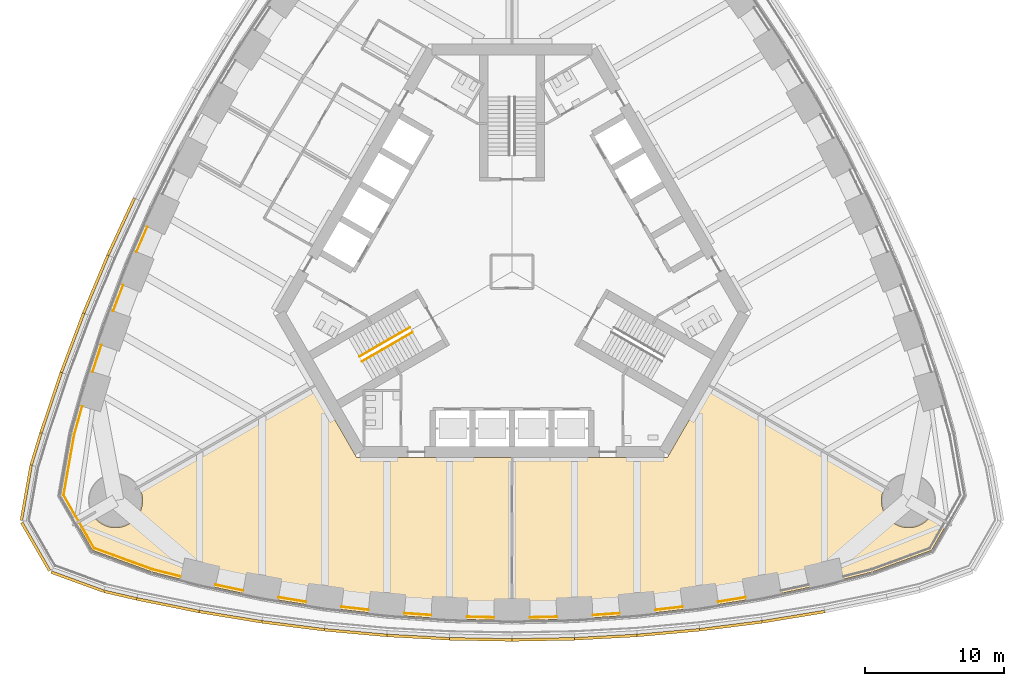
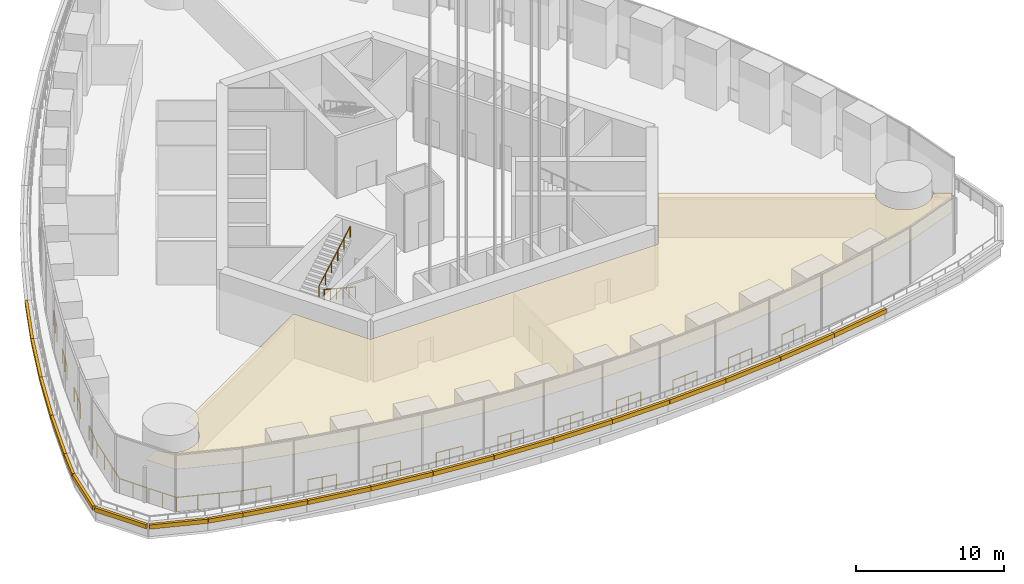
# One storey, part 17 of 31: 21 coverings, 16 railings.
"""IFC4 building model written with IfcOpenShell, lengths in metres."""

from ifc_helpers import new_model, si_unit, direction, frame, origin, origin_2d, place, context, subcontext, project, spatial, polyline, rectangle, circle, outline, extrude, material, layer, layer_set, type_object, element, save


model = new_model("IFC4")

# Units and contexts
model_context = context("Model", 3, precision=1e-05, world=origin(), true_north=direction((0.0, 1.0)))
body_context = subcontext(model_context, "Body", "Model", "MODEL_VIEW")
ifc_project = project(units=[si_unit("LENGTHUNIT", "METRE"), si_unit("AREAUNIT", "SQUARE_METRE"), si_unit("VOLUMEUNIT", "CUBIC_METRE"), si_unit("PLANEANGLEUNIT", "RADIAN"), si_unit("MASSUNIT", "GRAM", prefix="KILO")], contexts=[model_context])

# Site, building, storey
site_placement = place(None, origin())
site = spatial("IfcSite", under=ifc_project, at=site_placement, CompositionType="ELEMENT")
building_placement = place(site_placement, origin())
building = spatial("IfcBuilding", under=site, at=building_placement, Name="Trefoil Bronze Tower", CompositionType="ELEMENT")
storey_placement = place(building_placement, frame((0.0, 0.0, 184.699951171875)))
storey = spatial("IfcBuildingStorey", under=building, at=storey_placement, Name="L42", CompositionType="ELEMENT", Elevation=184.699951171875)

# Covering
ifc_material_1 = material(Name="Bronze metal ceiling panels", Category="metal")
ifc_layer = layer(ifc_material_1, 0.02001953125)
ifc_layer_set = layer_set([ifc_layer], Name="Feature ceiling 20")
covering_type_1 = type_object("IfcCoveringType", Name="Feature ceiling 20", PredefinedType="CEILING", material=ifc_layer_set)
covering_1_placement = place(storey_placement, frame((0.0, 0.0, 3.60009765625)))
element("IfcCovering", 1, at=covering_1_placement, inside=storey, type_object=covering_type_1, Name="Ceiling L42 Sky lobby F1", PredefinedType="CEILING", context=body_context, shape_type="SweptSolid", body=[
    extrude(outline(polyline([(-30.2001953125, -17.58349609375), (-30.14501953125, -17.66162109375), (-30.086181640625, -17.737060546875), (-30.023681640625, -17.8095703125), (-29.957763671875, -17.87890625), (-29.888427734375, -17.94482421875), (-29.81591796875, -18.00732421875), (-29.740478515625, -18.06640625), (-29.662109375, -18.121337890625), (-29.581298828125, -18.172607421875), (-29.498046875, -18.2197265625), (-29.41259765625, -18.2626953125), (-29.3251953125, -18.301513671875), (-29.23583984375, -18.3359375), (-29.14501953125, -18.365966796875), (-29.052490234375, -18.3916015625), (-28.959228515625, -18.41259765625), (-28.864990234375, -18.428955078125), (-28.77001953125, -18.440673828125), (-28.674560546875, -18.44775390625), (-28.578857421875, -18.449951171875), (-28.483154296875, -18.44775390625), (-28.3876953125, -18.440673828125), (-28.292724609375, -18.428955078125), (-28.198486328125, -18.41259765625), (-28.10498046875, -18.3916015625), (-28.0126953125, -18.365966796875), (-27.921875, -18.3359375), (-27.83251953125, -18.301513671875), (-27.7451171875, -18.2626953125), (-27.65966796875, -18.2197265625), (-27.576416015625, -18.172607421875), (-27.49560546875, -18.121337890625), (-27.417236328125, -18.06640625), (-27.341796875, -18.00732421875), (-27.269287109375, -17.94482421875), (-27.199951171875, -17.87890625), (-27.134033203125, -17.8095703125), (-27.071533203125, -17.737060546875), (-27.0126953125, -17.66162109375), (-26.95751953125, -17.58349609375), (-26.90625, -17.50244140625), (-26.859130859375, -17.419189453125), (-26.816162109375, -17.333740234375), (-26.77734375, -17.24609375), (-26.742919921875, -17.156982421875), (-26.712890625, -17.066162109375), (-26.687255859375, -16.973876953125), (-26.666259765625, -16.88037109375), (-26.64990234375, -16.7861328125), (-26.63818359375, -16.691162109375), (-26.631103515625, -16.595703125), (-26.62890625, -16.5), (-26.631103515625, -16.404296875), (-26.63818359375, -16.308837890625), (-26.64990234375, -16.2138671875), (-26.666259765625, -16.11962890625), (-26.687255859375, -16.026123046875), (-26.712890625, -15.933837890625), (-26.742919921875, -15.843017578125), (-26.77734375, -15.75390625), (-26.816162109375, -15.666259765625), (-26.859130859375, -15.580810546875), (-26.884765625, -15.535400390625), (-14.19970703125, -8.205322265625), (-11.20068359375, -13.39990234375), (11.20068359375, -13.39990234375), (14.19970703125, -8.205322265625), (26.884765625, -15.535400390625), (26.859130859375, -15.580810546875), (26.816162109375, -15.666259765625), (26.77734375, -15.75390625), (26.742919921875, -15.843017578125), (26.712890625, -15.933837890625), (26.687255859375, -16.026123046875), (26.666259765625, -16.11962890625), (26.64990234375, -16.2138671875), (26.63818359375, -16.308837890625), (26.631103515625, -16.404296875), (26.62890625, -16.5), (26.631103515625, -16.595703125), (26.63818359375, -16.691162109375), (26.64990234375, -16.7861328125), (26.666259765625, -16.88037109375), (26.687255859375, -16.973876953125), (26.712890625, -17.066162109375), (26.742919921875, -17.156982421875), (26.77734375, -17.24609375), (26.816162109375, -17.333740234375), (26.859130859375, -17.419189453125), (26.90625, -17.50244140625), (26.95751953125, -17.58349609375), (27.0126953125, -17.66162109375), (27.071533203125, -17.737060546875), (27.134033203125, -17.8095703125), (27.199951171875, -17.87890625), (27.269287109375, -17.94482421875), (27.341796875, -18.00732421875), (27.417236328125, -18.06640625), (27.49560546875, -18.121337890625), (27.576416015625, -18.172607421875), (27.65966796875, -18.2197265625), (27.7451171875, -18.2626953125), (27.83251953125, -18.301513671875), (27.921875, -18.3359375), (28.0126953125, -18.365966796875), (28.10498046875, -18.3916015625), (28.198486328125, -18.41259765625), (28.292724609375, -18.428955078125), (28.3876953125, -18.440673828125), (28.483154296875, -18.44775390625), (28.578857421875, -18.449951171875), (28.674560546875, -18.44775390625), (28.77001953125, -18.440673828125), (28.864990234375, -18.428955078125), (28.959228515625, -18.41259765625), (29.052490234375, -18.3916015625), (29.14501953125, -18.365966796875), (29.23583984375, -18.3359375), (29.3251953125, -18.301513671875), (29.41259765625, -18.2626953125), (29.498046875, -18.2197265625), (29.581298828125, -18.172607421875), (29.662109375, -18.121337890625), (29.740478515625, -18.06640625), (29.81591796875, -18.00732421875), (29.888427734375, -17.94482421875), (29.957763671875, -17.87890625), (30.023681640625, -17.8095703125), (30.086181640625, -17.737060546875), (30.14501953125, -17.66162109375), (30.2001953125, -17.58349609375), (30.2607421875, -17.486083984375), (31.37158203125, -18.1279296875), (30.23828125, -20.0908203125), (25.952880859375, -21.650634765625), (22.5, -22.531982421875), (18.0, -23.48291015625), (13.5, -24.216064453125), (9.0, -24.736328125), (4.5, -25.047119140625), (0.0, -25.150634765625), (-4.5, -25.047119140625), (-9.0, -24.736328125), (-13.5, -24.216064453125), (-18.0, -23.48291015625), (-22.5, -22.531982421875), (-25.952880859375, -21.650634765625), (-30.23828125, -20.0908203125), (-31.37158203125, -18.1279296875), (-30.2607421875, -17.486083984375), (-30.2001953125, -17.58349609375)])), origin(), (0.0, 0.0, 1.0), 0.02001953125),
])

# Railings
ifc_material_2 = material(Name="Bronze-finish steel guard rail and posts", Category="steel")
railing_type_1 = type_object("IfcRailingType", Name="Glazing guard 1200", PredefinedType="GUARDRAIL", material=ifc_material_2)
railing_1_placement = place(storey_placement, frame((-28.038818359375, -0.977783203125, 0.0)))
element("IfcRailing", 2, at=railing_1_placement, inside=storey, type_object=railing_type_1, Name="Glazing guard L42.1", PredefinedType="GUARDRAIL", context=body_context, shape_type="SweptSolid", body=[
    extrude(circle(Radius=0.02392578125, at=origin_2d()), frame((0.0, 0.0, 1.17578125), z_axis=(-0.354257987109, -0.93514773088, 0.0), x_axis=(0.93514773088, -0.354257987109, 0.0)), (0.0, 0.0, 1.0), 1.987548828125),
    extrude(circle(Radius=0.02099609375, at=origin_2d()), origin(), (0.0, 0.0, 1.0), 1.15185546875),
    extrude(circle(Radius=0.02099609375, at=origin_2d()), frame((-0.35205078125, -0.92919921875, 0.0)), (0.0, 0.0, 1.0), 1.15185546875),
    extrude(circle(Radius=0.02099609375, at=origin_2d()), frame((-0.7041015625, -1.858642578125, 0.0)), (0.0, 0.0, 1.0), 1.15185546875),
])
railing_2_placement = place(storey_placement, frame((-29.601806640625, -5.29052734375, 0.0)))
element("IfcRailing", 3, at=railing_2_placement, inside=storey, type_object=railing_type_1, Name="Glazing guard L42.2", PredefinedType="GUARDRAIL", context=body_context, shape_type="SweptSolid", body=[
    extrude(circle(Radius=0.02392578125, at=origin_2d()), frame((0.0, 0.0, 1.17578125), z_axis=(-0.310150768073, -0.950687383457, 0.0), x_axis=(0.950687383457, -0.310150768073, 0.0)), (0.0, 0.0, 1.0), 2.02685546875),
    extrude(circle(Radius=0.02099609375, at=origin_2d()), origin(), (0.0, 0.0, 1.0), 1.15185546875),
    extrude(circle(Radius=0.02099609375, at=origin_2d()), frame((-0.314453125, -0.96337890625, 0.0)), (0.0, 0.0, 1.0), 1.15185546875),
    extrude(circle(Radius=0.02099609375, at=origin_2d()), frame((-0.628662109375, -1.927001953125, 0.0)), (0.0, 0.0, 1.0), 1.15185546875),
])
railing_3_placement = place(storey_placement, frame((-30.979736328125, -9.707275390625, 0.0)))
element("IfcRailing", 4, at=railing_3_placement, inside=storey, type_object=railing_type_1, Name="Glazing guard L42.3", PredefinedType="GUARDRAIL", context=body_context, shape_type="SweptSolid", body=[
    extrude(circle(Radius=0.02392578125, at=origin_2d()), frame((0.0, 0.0, 1.17578125), z_axis=(-0.2702058815, -0.962802566263, 0.0), x_axis=(0.962802566263, -0.2702058815, 0.0)), (0.0, 0.0, 1.0), 2.122314453125),
    extrude(circle(Radius=0.02392578125, at=origin_2d()), frame((-0.573486328125, -2.04345703125, 1.17578125), z_axis=(-0.173690876104, -0.984800223171, 0.0), x_axis=(0.984800223171, -0.173690876104, 0.0)), (0.0, 0.0, 1.0), 4.42333984375),
    extrude(circle(Radius=0.02392578125, at=origin_2d()), frame((-1.341796875, -6.399658203125, 1.17578125), z_axis=(0.500022479402, -0.866012424906, 0.0), x_axis=(0.866012424906, 0.500022479402, 0.0)), (0.0, 0.0, 1.0), 2.13671875),
    extrude(circle(Radius=0.02099609375, at=origin_2d()), origin(), (0.0, 0.0, 1.0), 1.15185546875),
    extrude(circle(Radius=0.02099609375, at=origin_2d()), frame((-0.28662109375, -1.021728515625, 0.0)), (0.0, 0.0, 1.0), 1.15185546875),
    extrude(circle(Radius=0.02099609375, at=origin_2d()), frame((-0.573486328125, -2.04345703125, 0.0)), (0.0, 0.0, 1.0), 1.15185546875),
    extrude(circle(Radius=0.02099609375, at=origin_2d()), frame((-0.82958984375, -3.49560546875, 0.0)), (0.0, 0.0, 1.0), 1.15185546875),
    extrude(circle(Radius=0.02099609375, at=origin_2d()), frame((-1.085693359375, -4.947509765625, 0.0)), (0.0, 0.0, 1.0), 1.15185546875),
    extrude(circle(Radius=0.02099609375, at=origin_2d()), frame((-1.341796875, -6.399658203125, 0.0)), (0.0, 0.0, 1.0), 1.15185546875),
    extrude(circle(Radius=0.02099609375, at=origin_2d()), frame((-0.8076171875, -7.32470703125, 0.0)), (0.0, 0.0, 1.0), 1.15185546875),
    extrude(circle(Radius=0.02099609375, at=origin_2d()), frame((-0.2734375, -8.25, 0.0)), (0.0, 0.0, 1.0), 1.15185546875),
])
railing_4_placement = place(storey_placement, frame((-31.177978515625, -18.087158203125, 0.0)))
element("IfcRailing", 5, at=railing_4_placement, inside=storey, type_object=railing_type_1, Name="Glazing guard L42.4", PredefinedType="GUARDRAIL", context=body_context, shape_type="SweptSolid", body=[
    extrude(circle(Radius=0.02392578125, at=origin_2d()), frame((0.0, 0.0, 1.17578125), z_axis=(0.499973003918, -0.866040989419, 0.0), x_axis=(0.866040989419, 0.499973003918, 0.0)), (0.0, 0.0, 1.0), 2.13671875),
    extrude(circle(Radius=0.02392578125, at=origin_2d()), frame((1.068359375, -1.8505859375, 1.17578125), z_axis=(0.93969186174, -0.34202222878, 0.0), x_axis=(0.34202222878, 0.93969186174, 0.0)), (0.0, 0.0, 1.0), 4.423583984375),
    extrude(circle(Radius=0.02392578125, at=origin_2d()), frame((5.22509765625, -3.363525390625, 1.17578125), z_axis=(0.968925924242, -0.247351073037, 0.0), x_axis=(0.247351073037, 0.968925924242, 0.0)), (0.0, 0.0, 1.0), 2.1220703125),
    extrude(circle(Radius=0.02099609375, at=origin_2d()), origin(), (0.0, 0.0, 1.0), 1.15185546875),
    extrude(circle(Radius=0.02099609375, at=origin_2d()), frame((0.5341796875, -0.92529296875, 0.0)), (0.0, 0.0, 1.0), 1.15185546875),
    extrude(circle(Radius=0.02099609375, at=origin_2d()), frame((1.068359375, -1.8505859375, 0.0)), (0.0, 0.0, 1.0), 1.15185546875),
    extrude(circle(Radius=0.02099609375, at=origin_2d()), frame((2.453857421875, -2.35498046875, 0.0)), (0.0, 0.0, 1.0), 1.15185546875),
    extrude(circle(Radius=0.02099609375, at=origin_2d()), frame((3.839599609375, -2.859130859375, 0.0)), (0.0, 0.0, 1.0), 1.15185546875),
    extrude(circle(Radius=0.02099609375, at=origin_2d()), frame((5.22509765625, -3.363525390625, 0.0)), (0.0, 0.0, 1.0), 1.15185546875),
    extrude(circle(Radius=0.02099609375, at=origin_2d()), frame((6.253173828125, -3.6259765625, 0.0)), (0.0, 0.0, 1.0), 1.15185546875),
    extrude(circle(Radius=0.02099609375, at=origin_2d()), frame((7.28125, -3.888427734375, 0.0)), (0.0, 0.0, 1.0), 1.15185546875),
])
railing_5_placement = place(storey_placement, frame((-21.365966796875, -22.571533203125, 0.0)))
element("IfcRailing", 6, at=railing_5_placement, inside=storey, type_object=railing_type_1, Name="Glazing guard L42.5", PredefinedType="GUARDRAIL", context=body_context, shape_type="SweptSolid", body=[
    extrude(circle(Radius=0.02392578125, at=origin_2d()), frame((0.0, 0.0, 1.17578125), z_axis=(0.978382051668, -0.206805611562, 0.0), x_axis=(0.206805611562, 0.978382051668, 0.0)), (0.0, 0.0, 1.0), 2.02685546875),
    extrude(circle(Radius=0.02099609375, at=origin_2d()), origin(), (0.0, 0.0, 1.0), 1.15185546875),
    extrude(circle(Radius=0.02099609375, at=origin_2d()), frame((0.99169921875, -0.20947265625, 0.0)), (0.0, 0.0, 1.0), 1.15185546875),
    extrude(circle(Radius=0.02099609375, at=origin_2d()), frame((1.983154296875, -0.419189453125, 0.0)), (0.0, 0.0, 1.0), 1.15185546875),
])
railing_6_placement = place(storey_placement, frame((-16.827880859375, -23.473876953125, 0.0)))
element("IfcRailing", 7, at=railing_6_placement, inside=storey, type_object=railing_type_1, Name="Glazing guard L42.6", PredefinedType="GUARDRAIL", context=body_context, shape_type="SweptSolid", body=[
    extrude(circle(Radius=0.02392578125, at=origin_2d()), frame((0.0, 0.0, 1.17578125), z_axis=(0.986988235708, -0.160792482955, 0.0), x_axis=(0.160792482955, 0.986988235708, 0.0)), (0.0, 0.0, 1.0), 1.987548828125),
    extrude(circle(Radius=0.02099609375, at=origin_2d()), origin(), (0.0, 0.0, 1.0), 1.15185546875),
    extrude(circle(Radius=0.02099609375, at=origin_2d()), frame((0.98095703125, -0.15966796875, 0.0)), (0.0, 0.0, 1.0), 1.15185546875),
    extrude(circle(Radius=0.02099609375, at=origin_2d()), frame((1.961669921875, -0.319580078125, 0.0)), (0.0, 0.0, 1.0), 1.15185546875),
])
railing_7_placement = place(storey_placement, frame((-12.29150390625, -24.15576171875, 0.0)))
element("IfcRailing", 8, at=railing_7_placement, inside=storey, type_object=railing_type_1, Name="Glazing guard L42.7", PredefinedType="GUARDRAIL", context=body_context, shape_type="SweptSolid", body=[
    extrude(circle(Radius=0.02392578125, at=origin_2d()), frame((0.0, 0.0, 1.17578125), z_axis=(0.993381049752, -0.114865530047, 0.0), x_axis=(0.114865530047, 0.993381049752, 0.0)), (0.0, 0.0, 1.0), 1.95751953125),
    extrude(circle(Radius=0.02099609375, at=origin_2d()), origin(), (0.0, 0.0, 1.0), 1.15185546875),
    extrude(circle(Radius=0.02099609375, at=origin_2d()), frame((0.97216796875, -0.1123046875, 0.0)), (0.0, 0.0, 1.0), 1.15185546875),
    extrude(circle(Radius=0.02099609375, at=origin_2d()), frame((1.944580078125, -0.224853515625, 0.0)), (0.0, 0.0, 1.0), 1.15185546875),
])
railing_8_placement = place(storey_placement, frame((-7.758056640625, -24.6220703125, 0.0)))
element("IfcRailing", 9, at=railing_8_placement, inside=storey, type_object=railing_type_1, Name="Glazing guard L42.8", PredefinedType="GUARDRAIL", context=body_context, shape_type="SweptSolid", body=[
    extrude(circle(Radius=0.02392578125, at=origin_2d()), frame((0.0, 0.0, 1.17578125), z_axis=(0.997622868225, -0.068910179179, 0.0), x_axis=(0.068910179179, 0.997622868225, 0.0)), (0.0, 0.0, 1.0), 1.93798828125),
    extrude(circle(Radius=0.02099609375, at=origin_2d()), origin(), (0.0, 0.0, 1.0), 1.15185546875),
    extrude(circle(Radius=0.02099609375, at=origin_2d()), frame((0.966796875, -0.06689453125, 0.0)), (0.0, 0.0, 1.0), 1.15185546875),
    extrude(circle(Radius=0.02099609375, at=origin_2d()), frame((1.933349609375, -0.133544921875, 0.0)), (0.0, 0.0, 1.0), 1.15185546875),
])
railing_9_placement = place(storey_placement, frame((-3.2275390625, -24.87646484375, 0.0)))
element("IfcRailing", 10, at=railing_9_placement, inside=storey, type_object=railing_type_1, Name="Glazing guard L42.9", PredefinedType="GUARDRAIL", context=body_context, shape_type="SweptSolid", body=[
    extrude(circle(Radius=0.02392578125, at=origin_2d()), frame((0.0, 0.0, 1.17578125), z_axis=(0.999737305047, -0.022919879951, 0.0), x_axis=(0.022919879951, 0.999737305047, 0.0)), (0.0, 0.0, 1.0), 1.927978515625),
    extrude(circle(Radius=0.02099609375, at=origin_2d()), origin(), (0.0, 0.0, 1.0), 1.15185546875),
    extrude(circle(Radius=0.02099609375, at=origin_2d()), frame((0.9638671875, -0.02197265625, 0.0)), (0.0, 0.0, 1.0), 1.15185546875),
    extrude(circle(Radius=0.02099609375, at=origin_2d()), frame((1.927490234375, -0.044189453125, 0.0)), (0.0, 0.0, 1.0), 1.15185546875),
])
railing_10_placement = place(storey_placement, frame((1.300048828125, -24.920654296875, 0.0)))
element("IfcRailing", 11, at=railing_10_placement, inside=storey, type_object=railing_type_1, Name="Glazing guard L42.10", PredefinedType="GUARDRAIL", context=body_context, shape_type="SweptSolid", body=[
    extrude(circle(Radius=0.02392578125, at=origin_2d()), frame((0.0, 0.0, 1.17578125), z_axis=(0.999737305047, 0.022919879951, 0.0), x_axis=(-0.022919879951, 0.999737305047, 0.0)), (0.0, 0.0, 1.0), 1.927978515625),
    extrude(circle(Radius=0.02099609375, at=origin_2d()), origin(), (0.0, 0.0, 1.0), 1.15185546875),
    extrude(circle(Radius=0.02099609375, at=origin_2d()), frame((0.9638671875, 0.02197265625, 0.0)), (0.0, 0.0, 1.0), 1.15185546875),
    extrude(circle(Radius=0.02099609375, at=origin_2d()), frame((1.927490234375, 0.044189453125, 0.0)), (0.0, 0.0, 1.0), 1.15185546875),
])
railing_11_placement = place(storey_placement, frame((5.82470703125, -24.755615234375, 0.0)))
element("IfcRailing", 12, at=railing_11_placement, inside=storey, type_object=railing_type_1, Name="Glazing guard L42.11", PredefinedType="GUARDRAIL", context=body_context, shape_type="SweptSolid", body=[
    extrude(circle(Radius=0.02392578125, at=origin_2d()), frame((0.0, 0.0, 1.17578125), z_axis=(0.997622868225, 0.068910179179, 0.0), x_axis=(-0.068910179179, 0.997622868225, 0.0)), (0.0, 0.0, 1.0), 1.93798828125),
    extrude(circle(Radius=0.02099609375, at=origin_2d()), origin(), (0.0, 0.0, 1.0), 1.15185546875),
    extrude(circle(Radius=0.02099609375, at=origin_2d()), frame((0.966796875, 0.06689453125, 0.0)), (0.0, 0.0, 1.0), 1.15185546875),
    extrude(circle(Radius=0.02099609375, at=origin_2d()), frame((1.933349609375, 0.133544921875, 0.0)), (0.0, 0.0, 1.0), 1.15185546875),
])
railing_12_placement = place(storey_placement, frame((10.346923828125, -24.380615234375, 0.0)))
element("IfcRailing", 13, at=railing_12_placement, inside=storey, type_object=railing_type_1, Name="Glazing guard L42.12", PredefinedType="GUARDRAIL", context=body_context, shape_type="SweptSolid", body=[
    extrude(circle(Radius=0.02392578125, at=origin_2d()), frame((0.0, 0.0, 1.17578125), z_axis=(0.993381049752, 0.114865530047, 0.0), x_axis=(-0.114865530047, 0.993381049752, 0.0)), (0.0, 0.0, 1.0), 1.95751953125),
    extrude(circle(Radius=0.02099609375, at=origin_2d()), origin(), (0.0, 0.0, 1.0), 1.15185546875),
    extrude(circle(Radius=0.02099609375, at=origin_2d()), frame((0.97216796875, 0.1123046875, 0.0)), (0.0, 0.0, 1.0), 1.15185546875),
    extrude(circle(Radius=0.02099609375, at=origin_2d()), frame((1.944580078125, 0.224853515625, 0.0)), (0.0, 0.0, 1.0), 1.15185546875),
])
railing_13_placement = place(storey_placement, frame((14.8662109375, -23.79345703125, 0.0)))
element("IfcRailing", 14, at=railing_13_placement, inside=storey, type_object=railing_type_1, Name="Glazing guard L42.13", PredefinedType="GUARDRAIL", context=body_context, shape_type="SweptSolid", body=[
    extrude(circle(Radius=0.02392578125, at=origin_2d()), frame((0.0, 0.0, 1.17578125), z_axis=(0.986988235708, 0.160792482955, 0.0), x_axis=(-0.160792482955, 0.986988235708, 0.0)), (0.0, 0.0, 1.0), 1.987548828125),
    extrude(circle(Radius=0.02099609375, at=origin_2d()), origin(), (0.0, 0.0, 1.0), 1.15185546875),
    extrude(circle(Radius=0.02099609375, at=origin_2d()), frame((0.98095703125, 0.15966796875, 0.0)), (0.0, 0.0, 1.0), 1.15185546875),
    extrude(circle(Radius=0.02099609375, at=origin_2d()), frame((1.961669921875, 0.319580078125, 0.0)), (0.0, 0.0, 1.0), 1.15185546875),
])
railing_14_placement = place(storey_placement, frame((-26.28759765625, 3.229736328125, 0.0)))
element("IfcRailing", 15, at=railing_14_placement, inside=storey, type_object=railing_type_1, Name="Glazing guard L42.35", PredefinedType="GUARDRAIL", context=body_context, shape_type="SweptSolid", body=[
    extrude(circle(Radius=0.02392578125, at=origin_2d()), frame((0.0, 0.0, 1.17578125), z_axis=(-0.397197923464, -0.917732972926, 0.0), x_axis=(0.917732972926, -0.397197923464, 0.0)), (0.0, 0.0, 1.0), 1.957763671875),
    extrude(circle(Radius=0.02099609375, at=origin_2d()), origin(), (0.0, 0.0, 1.0), 1.15185546875),
    extrude(circle(Radius=0.02099609375, at=origin_2d()), frame((-0.388671875, -0.8984375, 0.0)), (0.0, 0.0, 1.0), 1.15185546875),
    extrude(circle(Radius=0.02099609375, at=origin_2d()), frame((-0.777587890625, -1.796630859375, 0.0)), (0.0, 0.0, 1.0), 1.15185546875),
])
ifc_material_3 = material(Name="Steel handrail", Category="steel")
railing_type_2 = type_object("IfcRailingType", Name="Handrail 900", PredefinedType="HANDRAIL", material=ifc_material_3)
railing_15_placement = place(storey_placement, frame((-7.166015625, -4.3681640625, 0.166748046875)))
element("IfcRailing", 16, at=railing_15_placement, inside=storey, type_object=railing_type_2, Name="Handrail ST3 flight 1 L42", PredefinedType="HANDRAIL", context=body_context, shape_type="SweptSolid", body=[
    extrude(circle(Radius=0.02392578125, at=origin_2d()), frame((0.0, 0.0, 0.8759765625), z_axis=(-0.757033054248, -0.437105539847, 0.485633299735), x_axis=(0.500027713859, -0.866009402589, 0.0)), (0.0, 0.0, 1.0), 4.804443359375),
    extrude(circle(Radius=0.02099609375, at=origin_2d()), origin(), (0.0, 0.0, 1.0), 0.851806640625),
    extrude(circle(Radius=0.02099609375, at=origin_2d()), frame((-0.7275390625, -0.419921875, 0.466552734375)), (0.0, 0.0, 1.0), 0.851806640625),
    extrude(circle(Radius=0.02099609375, at=origin_2d()), frame((-1.454833984375, -0.840087890625, 0.933349609375)), (0.0, 0.0, 1.0), 0.851806640625),
    extrude(circle(Radius=0.02099609375, at=origin_2d()), frame((-2.182373046875, -1.260009765625, 1.39990234375)), (0.0, 0.0, 1.0), 0.851806640625),
    extrude(circle(Radius=0.02099609375, at=origin_2d()), frame((-2.90966796875, -1.68017578125, 1.86669921875)), (0.0, 0.0, 1.0), 0.851806640625),
    extrude(circle(Radius=0.02099609375, at=origin_2d()), frame((-3.63720703125, -2.10009765625, 2.333251953125)), (0.0, 0.0, 1.0), 0.851806640625),
])
railing_16_placement = place(storey_placement, frame((-11.003173828125, -6.121826171875, 2.666748046875)))
element("IfcRailing", 17, at=railing_16_placement, inside=storey, type_object=railing_type_2, Name="Handrail ST3 flight 2 L42", PredefinedType="HANDRAIL", context=body_context, shape_type="SweptSolid", body=[
    extrude(circle(Radius=0.02392578125, at=origin_2d()), frame((0.0, 0.0, 0.8759765625), z_axis=(0.757033054248, 0.437105539847, 0.485633299735), x_axis=(-0.500027713859, 0.866009402589, 0.0)), (0.0, 0.0, 1.0), 4.804443359375),
    extrude(circle(Radius=0.02099609375, at=origin_2d()), origin(), (0.0, 0.0, 1.0), 0.851806640625),
    extrude(circle(Radius=0.02099609375, at=origin_2d()), frame((0.7275390625, 0.419921875, 0.466552734375)), (0.0, 0.0, 1.0), 0.851806640625),
    extrude(circle(Radius=0.02099609375, at=origin_2d()), frame((1.454833984375, 0.840087890625, 0.933349609375)), (0.0, 0.0, 1.0), 0.851806640625),
    extrude(circle(Radius=0.02099609375, at=origin_2d()), frame((2.182373046875, 1.260009765625, 1.39990234375)), (0.0, 0.0, 1.0), 0.851806640625),
    extrude(circle(Radius=0.02099609375, at=origin_2d()), frame((2.90966796875, 1.68017578125, 1.86669921875)), (0.0, 0.0, 1.0), 0.851806640625),
    extrude(circle(Radius=0.02099609375, at=origin_2d()), frame((3.63720703125, 2.10009765625, 2.333251953125)), (0.0, 0.0, 1.0), 0.851806640625),
])

# Coverings
ifc_material_4 = material(Name="Stepped bronze-finish aluminium cornice", Category="aluminium")
covering_type_2 = type_object("IfcCoveringType", Name="Setback cornice 350x200", PredefinedType="MOLDING", material=ifc_material_4)
covering_2_placement = place(storey_placement, frame((-28.229736328125, -23.31689453125, 0.75), z_axis=(0.0, 0.0, 1.0), x_axis=(0.974204447126, -0.225667222253, 0.0)))
element("IfcCovering", 18, at=covering_2_placement, inside=storey, type_object=covering_type_2, Name="Setback cornice L42.00", PredefinedType="MOLDING", context=body_context, shape_type="SweptSolid", body=[
    extrude(rectangle(XDim=2.420166015625, YDim=0.199951171875, at=origin_2d()), origin(), (0.0, 0.0, 1.0), 0.35009765625),
])
covering_3_placement = place(storey_placement, frame((-24.794677734375, -24.04638671875, 0.75), z_axis=(0.0, 0.0, 1.0), x_axis=(0.980155155537, -0.198231861904, 0.0)))
element("IfcCovering", 19, at=covering_3_placement, inside=storey, type_object=covering_type_2, Name="Setback cornice L42.01", PredefinedType="MOLDING", context=body_context, shape_type="SweptSolid", body=[
    extrude(rectangle(XDim=4.591064453125, YDim=0.199951171875, at=origin_2d()), origin(), (0.0, 0.0, 1.0), 0.35009765625),
])
covering_4_placement = place(storey_placement, frame((-20.286376953125, -24.872802734375, 0.75), z_axis=(0.0, 0.0, 1.0), x_axis=(0.98675965574, -0.162189339366, 0.0)))
element("IfcCovering", 20, at=covering_4_placement, inside=storey, type_object=covering_type_2, Name="Setback cornice L42.02", PredefinedType="MOLDING", context=body_context, shape_type="SweptSolid", body=[
    extrude(rectangle(XDim=4.560302734375, YDim=0.199951171875, at=origin_2d()), origin(), (0.0, 0.0, 1.0), 0.35009765625),
])
covering_5_placement = place(storey_placement, frame((-15.7783203125, -25.52978515625, 0.75), z_axis=(0.0, 0.0, 1.0), x_axis=(0.992011554286, -0.126147041833, 0.0)))
element("IfcCovering", 21, at=covering_5_placement, inside=storey, type_object=covering_type_2, Name="Setback cornice L42.03", PredefinedType="MOLDING", context=body_context, shape_type="SweptSolid", body=[
    extrude(rectangle(XDim=4.5361328125, YDim=0.199951171875, at=origin_2d()), origin(), (0.0, 0.0, 1.0), 0.35009765625),
])
covering_6_placement = place(storey_placement, frame((-11.270263671875, -26.0205078125, 0.75), z_axis=(0.0, 0.0, 1.0), x_axis=(0.995932279157, -0.090104912923, 0.0)))
element("IfcCovering", 22, at=covering_6_placement, inside=storey, type_object=covering_type_2, Name="Setback cornice L42.04", PredefinedType="MOLDING", context=body_context, shape_type="SweptSolid", body=[
    extrude(rectangle(XDim=4.518310546875, YDim=0.199951171875, at=origin_2d()), origin(), (0.0, 0.0, 1.0), 0.35009765625),
])
covering_7_placement = place(storey_placement, frame((-6.76220703125, -26.346435546875, 0.75), z_axis=(0.0, 0.0, 1.0), x_axis=(0.998537531917, -0.054062901823, 0.0)))
element("IfcCovering", 23, at=covering_7_placement, inside=storey, type_object=covering_type_2, Name="Setback cornice L42.05", PredefinedType="MOLDING", context=body_context, shape_type="SweptSolid", body=[
    extrude(rectangle(XDim=4.506591796875, YDim=0.199951171875, at=origin_2d()), origin(), (0.0, 0.0, 1.0), 0.35009765625),
])
for number, where, z_axis, x_axis, name in (
    (24, (-2.254150390625, -26.509033203125, 0.75), (0.0, 0.0, 1.0), (0.999837609324, -0.018020959525, 0.0), "Setback cornice L42.06"),
    (25, (2.254150390625, -26.509033203125, 0.75), (0.0, 0.0, 1.0), (0.999837609324, 0.018020959525, 0.0), "Setback cornice L42.07"),
):
    element("IfcCovering", number, at=place(storey_placement, frame(where, z_axis=z_axis, x_axis=x_axis)), inside=storey, type_object=covering_type_2, Name=name, PredefinedType="MOLDING", context=body_context, shape_type="SweptSolid", body=[
        extrude(rectangle(XDim=4.500732421875, YDim=0.199951171875, at=origin_2d()), origin(), (0.0, 0.0, 1.0), 0.35009765625),
    ])
covering_8_placement = place(storey_placement, frame((6.76220703125, -26.346435546875, 0.75), z_axis=(0.0, 0.0, 1.0), x_axis=(0.998537531917, 0.054062901823, 0.0)))
element("IfcCovering", 26, at=covering_8_placement, inside=storey, type_object=covering_type_2, Name="Setback cornice L42.08", PredefinedType="MOLDING", context=body_context, shape_type="SweptSolid", body=[
    extrude(rectangle(XDim=4.506591796875, YDim=0.199951171875, at=origin_2d()), origin(), (0.0, 0.0, 1.0), 0.35009765625),
])
covering_9_placement = place(storey_placement, frame((11.270263671875, -26.0205078125, 0.75), z_axis=(0.0, 0.0, 1.0), x_axis=(0.995932279157, 0.090104912923, 0.0)))
element("IfcCovering", 27, at=covering_9_placement, inside=storey, type_object=covering_type_2, Name="Setback cornice L42.09", PredefinedType="MOLDING", context=body_context, shape_type="SweptSolid", body=[
    extrude(rectangle(XDim=4.518310546875, YDim=0.199951171875, at=origin_2d()), origin(), (0.0, 0.0, 1.0), 0.35009765625),
])
covering_10_placement = place(storey_placement, frame((15.7783203125, -25.52978515625, 0.75), z_axis=(0.0, 0.0, 1.0), x_axis=(0.992011554286, 0.126147041833, 0.0)))
element("IfcCovering", 28, at=covering_10_placement, inside=storey, type_object=covering_type_2, Name="Setback cornice L42.10", PredefinedType="MOLDING", context=body_context, shape_type="SweptSolid", body=[
    extrude(rectangle(XDim=4.5361328125, YDim=0.199951171875, at=origin_2d()), origin(), (0.0, 0.0, 1.0), 0.35009765625),
])
covering_11_placement = place(storey_placement, frame((20.286376953125, -24.872802734375, 0.75), z_axis=(0.0, 0.0, 1.0), x_axis=(0.98675965574, 0.162189339366, 0.0)))
element("IfcCovering", 29, at=covering_11_placement, inside=storey, type_object=covering_type_2, Name="Setback cornice L42.11", PredefinedType="MOLDING", context=body_context, shape_type="SweptSolid", body=[
    extrude(rectangle(XDim=4.560302734375, YDim=0.199951171875, at=origin_2d()), origin(), (0.0, 0.0, 1.0), 0.35009765625),
])
covering_12_placement = place(storey_placement, frame((-28.16943359375, 3.25, 0.75), z_axis=(0.0, 0.0, 1.0), x_axis=(-0.419932995776, -0.907555110756, 0.0)))
element("IfcCovering", 30, at=covering_12_placement, inside=storey, type_object=covering_type_2, Name="Setback cornice L42.43", PredefinedType="MOLDING", context=body_context, shape_type="SweptSolid", body=[
    extrude(rectangle(XDim=4.518310546875, YDim=0.199951171875, at=origin_2d()), origin(), (0.0, 0.0, 1.0), 0.35009765625),
])
covering_13_placement = place(storey_placement, frame((-29.998779296875, -0.899658203125, 0.75), z_axis=(0.0, 0.0, 1.0), x_axis=(-0.386759234303, -0.922180727776, 0.0)))
element("IfcCovering", 31, at=covering_13_placement, inside=storey, type_object=covering_type_2, Name="Setback cornice L42.44", PredefinedType="MOLDING", context=body_context, shape_type="SweptSolid", body=[
    extrude(rectangle(XDim=4.5361328125, YDim=0.199951171875, at=origin_2d()), origin(), (0.0, 0.0, 1.0), 0.35009765625),
])
covering_14_placement = place(storey_placement, frame((-31.68359375, -5.13232421875, 0.75), z_axis=(0.0, 0.0, 1.0), x_axis=(-0.352919739789, -0.935653598971, 0.0)))
element("IfcCovering", 32, at=covering_14_placement, inside=storey, type_object=covering_type_2, Name="Setback cornice L42.45", PredefinedType="MOLDING", context=body_context, shape_type="SweptSolid", body=[
    extrude(rectangle(XDim=4.560302734375, YDim=0.199951171875, at=origin_2d()), origin(), (0.0, 0.0, 1.0), 0.35009765625),
])
covering_15_placement = place(storey_placement, frame((-33.22216796875, -9.449462890625, 0.75), z_axis=(0.0, 0.0, 1.0), x_axis=(-0.31840374947, -0.947955195314, 0.0)))
element("IfcCovering", 33, at=covering_15_placement, inside=storey, type_object=covering_type_2, Name="Setback cornice L42.46", PredefinedType="MOLDING", context=body_context, shape_type="SweptSolid", body=[
    extrude(rectangle(XDim=4.591064453125, YDim=0.199951171875, at=origin_2d()), origin(), (0.0, 0.0, 1.0), 0.35009765625),
])
covering_16_placement = place(storey_placement, frame((-34.307861328125, -12.7890625, 0.75), z_axis=(0.0, 0.0, 1.0), x_axis=(-0.291668676641, -0.956519410711, 0.0)))
element("IfcCovering", 34, at=covering_16_placement, inside=storey, type_object=covering_type_2, Name="Setback cornice L42.47", PredefinedType="MOLDING", context=body_context, shape_type="SweptSolid", body=[
    extrude(rectangle(XDim=2.420166015625, YDim=0.199951171875, at=origin_2d()), origin(), (0.0, 0.0, 1.0), 0.35009765625),
])
for number, where, z_axis, x_axis, name in (
    (35, (-35.01611328125, -15.951904296875, 0.75), (0.0, 0.0, 1.0), (-0.173648177736, -0.984807753, 0.0), "Setback cornice L42.48"),
    (36, (-34.33349609375, -19.822509765625, 0.75), (0.0, 0.0, 1.0), (0.500000000136, -0.866025403706, 0.0), "Setback cornice L42.49"),
    (37, (-31.32275390625, -22.348876953125, 0.75), (0.0, 0.0, 1.0), (0.939692620816, -0.342020143244, 0.0), "Setback cornice L42.50"),
):
    element("IfcCovering", number, at=place(storey_placement, frame(where, z_axis=z_axis, x_axis=x_axis)), inside=storey, type_object=covering_type_2, Name=name, PredefinedType="MOLDING", context=body_context, shape_type="SweptSolid", body=[
        extrude(rectangle(XDim=4.018798828125, YDim=0.199951171875, at=origin_2d()), origin(), (0.0, 0.0, 1.0), 0.35009765625),
    ])

save(model, "model.ifc")
